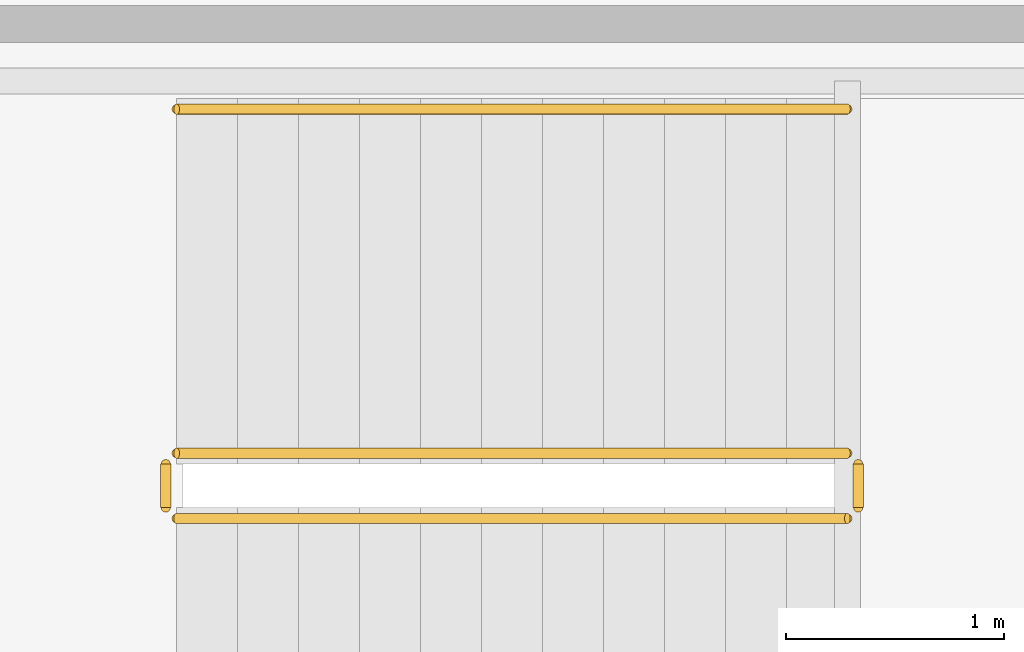
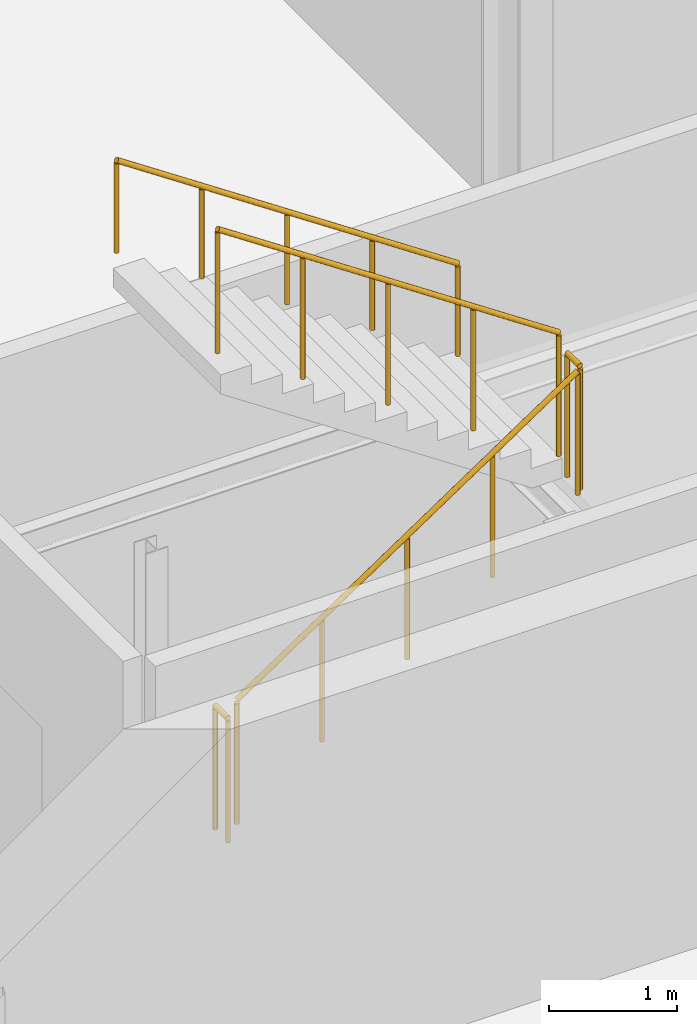
# One storey, part 67 of 78: 5 railings.
"""IFC4 building model written with IfcOpenShell, lengths in metres."""

import ifcopenshell
import ifcopenshell.guid

model = None  # the IFC model being written
_history = None  # IfcOwnerHistory: only IFC2X3 demands one
_inside = {}  # id of a spatial element -> (the spatial element, [elements in it])
_under = {}  # id of a project, library or spatial element -> (it, [spatial elements below it])
_declared = {}  # id of a project -> (the project, [libraries it declares])
_typed = {}  # id of a type object -> (the type object, [elements of that type])
_made_of = {}  # id of a material, layer set ... -> (it, [elements and type objects made of it])


def new_model(schema):
    """Start an empty IFC model of exactly this schema.

    Asked for "IFC4X3", IfcOpenShell would pick the latest addendum, in which some entities
    have other attributes; the version numbers below select the first issue.
    IFC2X3 requires an IfcOwnerHistory on every rooted entity: one is made here for all.
    """
    global model, _history
    if schema == "IFC4X3":
        model = ifcopenshell.file(schema_version=(4, 3, 0, 0))
    else:
        model = ifcopenshell.file(schema=schema)
    _inside.clear()
    _under.clear()
    _declared.clear()
    _typed.clear()
    _made_of.clear()
    _history = None
    if model.schema == "IFC2X3":
        org = make("IfcOrganization", Name="unknown")
        user = make(
            "IfcPersonAndOrganization",
            ThePerson=make("IfcPerson", FamilyName="unknown"),
            TheOrganization=org,
        )
        app = make(
            "IfcApplication",
            ApplicationDeveloper=org,
            Version="unknown",
            ApplicationFullName="unknown",
            ApplicationIdentifier="unknown",
        )
        _history = make(
            "IfcOwnerHistory",
            OwningUser=user,
            OwningApplication=app,
            ChangeAction="ADDED",
            CreationDate=0,
        )
    return model


def make(cls, **values):
    """One entity of the class cls with the attributes given. An attribute that is None is left unset."""
    return model.create_entity(
        cls, **{name: value for name, value in values.items() if value is not None}
    )


def rooted(cls, **values):
    """An entity with a GlobalId (a new one), such as an element, a storey or a relation."""
    return make(cls, GlobalId=ifcopenshell.guid.new(), OwnerHistory=_history, **values)


def si_unit(unit_type, name, prefix=None):
    """IfcSIUnit, for example si_unit("LENGTHUNIT", "METRE", prefix="MILLI")."""
    return make("IfcSIUnit", UnitType=unit_type, Prefix=prefix, Name=name)


def assignment(units):
    """IfcUnitAssignment: the units of a project."""
    return None if units is None else make("IfcUnitAssignment", Units=units)


def point(xyz):
    """IfcCartesianPoint."""
    return None if xyz is None else make("IfcCartesianPoint", Coordinates=xyz)


def direction(xyz):
    """IfcDirection."""
    return None if xyz is None else make("IfcDirection", DirectionRatios=xyz)


def frame(location, z_axis=None, x_axis=None):
    """IfcAxis2Placement3D, a coordinate frame: its origin and axes. An axis left out is left unset."""
    return make(
        "IfcAxis2Placement3D",
        Location=point(location),
        Axis=direction(z_axis),
        RefDirection=direction(x_axis),
    )


def frame_2d(location, x_axis=None):
    """IfcAxis2Placement2D, a coordinate frame in the plane: its origin and x axis."""
    return make(
        "IfcAxis2Placement2D", Location=point(location), RefDirection=direction(x_axis)
    )


def origin():
    """The frame at (0, 0, 0) with its axes left unset."""
    return frame((0.0, 0.0, 0.0))


def origin_2d():
    """The frame at (0, 0) in the plane with its x axis left unset."""
    return frame_2d((0.0, 0.0))


def place(relative_to, where):
    """IfcLocalPlacement: puts the frame where relative to a parent placement (None: the world)."""
    return make(
        "IfcLocalPlacement", PlacementRelTo=relative_to, RelativePlacement=where
    )


def context(
    kind, dimensions, precision=None, world=None, true_north=None, identifier=None
):
    """IfcGeometricRepresentationContext, for example the 3D "Model" context."""
    return make(
        "IfcGeometricRepresentationContext",
        ContextIdentifier=identifier,
        ContextType=kind,
        CoordinateSpaceDimension=dimensions,
        Precision=precision,
        WorldCoordinateSystem=world,
        TrueNorth=true_north,
    )


def subcontext(parent, identifier, kind, view, scale=None):
    """IfcGeometricRepresentationSubContext, for example "Body" below "Model"."""
    return make(
        "IfcGeometricRepresentationSubContext",
        ContextIdentifier=identifier,
        ContextType=kind,
        ParentContext=parent,
        TargetScale=scale,
        TargetView=view,
    )


def project(units=None, contexts=None):
    """IfcProject with its units and contexts."""
    return rooted(
        "IfcProject",
        Name="project",
        RepresentationContexts=contexts,
        UnitsInContext=assignment(units),
    )


def spatial(cls, under=None, at=None, **own):
    """A site, building, storey or space (cls), placed at a placement, below another one or the project."""
    s = rooted(cls, ObjectPlacement=at, **own)
    if under is not None:
        _under.setdefault(under.id(), (under, []))[1].append(s)
    return s


def profile(cls, at=None, kind="AREA", **sizes):
    """A parametric profile (cls). Its sizes go by their IFC names, for example OverallWidth=200.0."""
    return make(cls, ProfileType=kind, Position=at, **sizes)


def circle(**sizes):
    """IfcCircleProfileDef."""
    return profile("IfcCircleProfileDef", **sizes)


def extrude(swept, where, along, depth):
    """IfcExtrudedAreaSolid: the profile swept, set in the frame where, extruded along a direction by depth."""
    return make(
        "IfcExtrudedAreaSolid",
        SweptArea=swept,
        Position=where,
        ExtrudedDirection=direction(along),
        Depth=depth,
    )


def shape(context_of_items, identifier, shape_type, items):
    """IfcShapeRepresentation: the items that make up one representation, for example the "Body"."""
    return make(
        "IfcShapeRepresentation",
        ContextOfItems=context_of_items,
        RepresentationIdentifier=identifier,
        RepresentationType=shape_type,
        Items=items,
    )


def material(Name=None, Category=None):
    """IfcMaterial."""
    return make("IfcMaterial", Name=Name, Category=Category)


def made_of(thing, what):
    """Note that an element or type object is made of a material, layer set ...; save() writes the relation."""
    if what is not None:
        _made_of.setdefault(what.id(), (what, []))[1].append(thing)
    return thing


def type_object(cls, material=None, **own):
    """A type object (cls), such as IfcWallType, which elements share."""
    return made_of(rooted(cls, **own), material)


def element(
    cls,
    number,
    at=None,
    inside=None,
    cuts=None,
    type_object=None,
    material=None,
    context=None,
    identifier="Body",
    shape_type=None,
    held_by="IfcProductDefinitionShape",
    body=None,
    shapes=None,
    **own,
):
    """One element of the class cls, such as IfcWall. Its Tag is "e" and its number.

    at: its placement. inside: the storey or other place that contains it. cuts: it is an
    opening in that element (IfcRelVoidsElement). A single representation is given by context,
    identifier, shape_type and body (its items); several are given by shapes. held_by: the class
    of the entity that holds the representations. save() writes the other relations.
    """
    e = rooted(cls, Tag="e%d" % number, ObjectPlacement=at, **own)
    if body is not None:
        shapes = [shape(context, identifier, shape_type, body)]
    if shapes is not None:
        e.Representation = make(held_by, Representations=shapes)
    if inside is not None:
        _inside.setdefault(inside.id(), (inside, []))[1].append(e)
    if cuts is not None:
        rooted(
            "IfcRelVoidsElement", RelatingBuildingElement=cuts, RelatedOpeningElement=e
        )
    if type_object is not None:
        _typed.setdefault(type_object.id(), (type_object, []))[1].append(e)
    return made_of(e, material)


def aggregate(whole, parts):
    """IfcRelAggregates: a whole, such as a stair, and the parts it consists of."""
    return rooted("IfcRelAggregates", RelatingObject=whole, RelatedObjects=parts)


def save(model, path):
    """Write the relations noted so far, then the file.

    IfcRelAggregates (storeys below a building ...), IfcRelContainedInSpatialStructure (elements
    in a storey), IfcRelDefinesByType, IfcRelAssociatesMaterial and IfcRelDeclares: one each for
    every whole, place, type object, material and project.
    """
    for whole, parts in _under.values():
        aggregate(whole, parts)
    for where, things in _inside.values():
        rooted(
            "IfcRelContainedInSpatialStructure",
            RelatedElements=things,
            RelatingStructure=where,
        )
    for kind, things in _typed.values():
        rooted("IfcRelDefinesByType", RelatedObjects=things, RelatingType=kind)
    for what, things in _made_of.values():
        rooted("IfcRelAssociatesMaterial", RelatedObjects=things, RelatingMaterial=what)
    for by, libraries in _declared.values():
        rooted("IfcRelDeclares", RelatingContext=by, RelatedDefinitions=libraries)
    model.write(path)


model = new_model("IFC4")

# Units and contexts
model_context = context("Model", 3, precision=1e-05, world=origin(), true_north=direction((0.0, 1.0)))
body_context = subcontext(model_context, "Body", "Model", "MODEL_VIEW")
ifc_project = project(units=[si_unit("LENGTHUNIT", "METRE"), si_unit("AREAUNIT", "SQUARE_METRE"), si_unit("VOLUMEUNIT", "CUBIC_METRE"), si_unit("PLANEANGLEUNIT", "RADIAN"), si_unit("MASSUNIT", "GRAM", prefix="KILO")], contexts=[model_context])

# Site, building, storey
site_placement = place(None, origin())
site = spatial("IfcSite", under=ifc_project, at=site_placement, CompositionType="ELEMENT")
building_placement = place(site_placement, origin())
building = spatial("IfcBuilding", under=site, at=building_placement, Name="Alderhovde Museum", CompositionType="ELEMENT")
storey_placement = place(building_placement, origin())
storey = spatial("IfcBuildingStorey", under=building, at=storey_placement, Name="L00", CompositionType="ELEMENT", Elevation=0.0)

# Railings
ifc_material_1 = material(Name="Painted Steel S355 Guardrail", Category="steel")
railing_type_1 = type_object("IfcRailingType", Name="RL-GUARD-1200", PredefinedType="GUARDRAIL", material=ifc_material_1)
railing_1_placement = place(storey_placement, frame((23.280029296875, 50.830078125, 0.1875)))
element("IfcRailing", 1, at=railing_1_placement, inside=storey, type_object=railing_type_1, Name="L00 ST1 stair guard 1", PredefinedType="GUARDRAIL", context=body_context, shape_type="SweptSolid", body=[
    extrude(circle(Radius=0.02392578125, at=origin_2d()), frame((0.0, 0.0, 1.17578125), z_axis=(0.830913701846, 0.0, 0.55640131208), x_axis=(0.0, 1.0, 0.0)), (0.0, 0.0, 1.0), 3.706787109375),
    extrude(circle(Radius=0.02099609375, at=origin_2d()), origin(), (0.0, 0.0, 1.0), 1.15185546875),
    extrude(circle(Radius=0.02099609375, at=origin_2d()), frame((0.77001953125, 0.0, 0.515625)), (0.0, 0.0, 1.0), 1.15185546875),
    extrude(circle(Radius=0.02099609375, at=origin_2d()), frame((1.5400390625, 0.0, 1.03125)), (0.0, 0.0, 1.0), 1.15185546875),
    extrude(circle(Radius=0.02099609375, at=origin_2d()), frame((2.31005859375, 0.0, 1.546875)), (0.0, 0.0, 1.0), 1.15185546875),
    extrude(circle(Radius=0.02099609375, at=origin_2d()), frame((3.080078125, 0.0, 2.0625)), (0.0, 0.0, 1.0), 1.15185546875),
])
railing_2_placement = place(storey_placement, frame((26.409912109375, 50.8798828125, 2.25)))
element("IfcRailing", 2, at=railing_2_placement, inside=storey, type_object=railing_type_1, Name="L00 ST1 stair guard 2", PredefinedType="GUARDRAIL", context=body_context, shape_type="SweptSolid", body=[
    extrude(circle(Radius=0.02392578125, at=origin_2d()), frame((0.0, 0.0, 1.17578125), z_axis=(0.0, 1.0, 0.0), x_axis=(-1.0, 0.0, 0.0)), (0.0, 0.0, 1.0), 0.2001953125),
    extrude(circle(Radius=0.02099609375, at=origin_2d()), origin(), (0.0, 0.0, 1.0), 1.15185546875),
    extrude(circle(Radius=0.02099609375, at=origin_2d()), frame((0.0, 0.2001953125, 0.0)), (0.0, 0.0, 1.0), 1.15185546875),
])
railing_3_placement = place(storey_placement, frame((26.360107421875, 51.1298828125, 2.4375)))
element("IfcRailing", 3, at=railing_3_placement, inside=storey, type_object=railing_type_1, Name="L00 ST1 stair guard 3", PredefinedType="GUARDRAIL", context=body_context, shape_type="SweptSolid", body=[
    extrude(circle(Radius=0.02392578125, at=origin_2d()), frame((0.0, 0.0, 1.17578125), z_axis=(-0.830913701846, 0.0, 0.55640131208), x_axis=(0.0, -1.0, 0.0)), (0.0, 0.0, 1.0), 3.706787109375),
    extrude(circle(Radius=0.02099609375, at=origin_2d()), origin(), (0.0, 0.0, 1.0), 1.15185546875),
    extrude(circle(Radius=0.02099609375, at=origin_2d()), frame((-0.77001953125, 0.0, 0.515625)), (0.0, 0.0, 1.0), 1.15185546875),
    extrude(circle(Radius=0.02099609375, at=origin_2d()), frame((-1.5400390625, 0.0, 1.03125)), (0.0, 0.0, 1.0), 1.15185546875),
    extrude(circle(Radius=0.02099609375, at=origin_2d()), frame((-2.31005859375, 0.0, 1.546875)), (0.0, 0.0, 1.0), 1.15185546875),
    extrude(circle(Radius=0.02099609375, at=origin_2d()), frame((-3.080078125, 0.0, 2.0625)), (0.0, 0.0, 1.0), 1.15185546875),
])
railing_4_placement = place(storey_placement, frame((23.22998046875, 50.8798828125, 0.0)))
element("IfcRailing", 4, at=railing_4_placement, inside=storey, type_object=railing_type_1, Name="L00 ST1 stair guard 4", PredefinedType="GUARDRAIL", context=body_context, shape_type="SweptSolid", body=[
    extrude(circle(Radius=0.02392578125, at=origin_2d()), frame((0.0, 0.0, 1.17578125), z_axis=(0.0, 1.0, 0.0), x_axis=(-1.0, 0.0, 0.0)), (0.0, 0.0, 1.0), 0.2001953125),
    extrude(circle(Radius=0.02099609375, at=origin_2d()), origin(), (0.0, 0.0, 1.0), 1.15185546875),
    extrude(circle(Radius=0.02099609375, at=origin_2d()), frame((0.0, 0.2001953125, 0.0)), (0.0, 0.0, 1.0), 1.15185546875),
])
ifc_material_2 = material(Name="Brushed Stainless Steel Handrail", Category="steel")
railing_type_2 = type_object("IfcRailingType", Name="RL-HANDRAIL-900", PredefinedType="HANDRAIL", material=ifc_material_2)
railing_5_placement = place(storey_placement, frame((26.360107421875, 52.7099609375, 2.4375)))
element("IfcRailing", 5, at=railing_5_placement, inside=storey, type_object=railing_type_2, Name="L00 ST1 stair handrail 2", PredefinedType="HANDRAIL", context=body_context, shape_type="SweptSolid", body=[
    extrude(circle(Radius=0.02392578125, at=origin_2d()), frame((0.0, 0.0, 0.8759765625), z_axis=(-0.830913701846, 0.0, 0.55640131208), x_axis=(0.0, -1.0, 0.0)), (0.0, 0.0, 1.0), 3.706787109375),
    extrude(circle(Radius=0.02099609375, at=origin_2d()), origin(), (0.0, 0.0, 1.0), 0.851806640625),
    extrude(circle(Radius=0.02099609375, at=origin_2d()), frame((-0.77001953125, 0.0, 0.515625)), (0.0, 0.0, 1.0), 0.851806640625),
    extrude(circle(Radius=0.02099609375, at=origin_2d()), frame((-1.5400390625, 0.0, 1.03125)), (0.0, 0.0, 1.0), 0.851806640625),
    extrude(circle(Radius=0.02099609375, at=origin_2d()), frame((-2.31005859375, 0.0, 1.546875)), (0.0, 0.0, 1.0), 0.851806640625),
    extrude(circle(Radius=0.02099609375, at=origin_2d()), frame((-3.080078125, 0.0, 2.0625)), (0.0, 0.0, 1.0), 0.851806640625),
])

save(model, "model.ifc")
